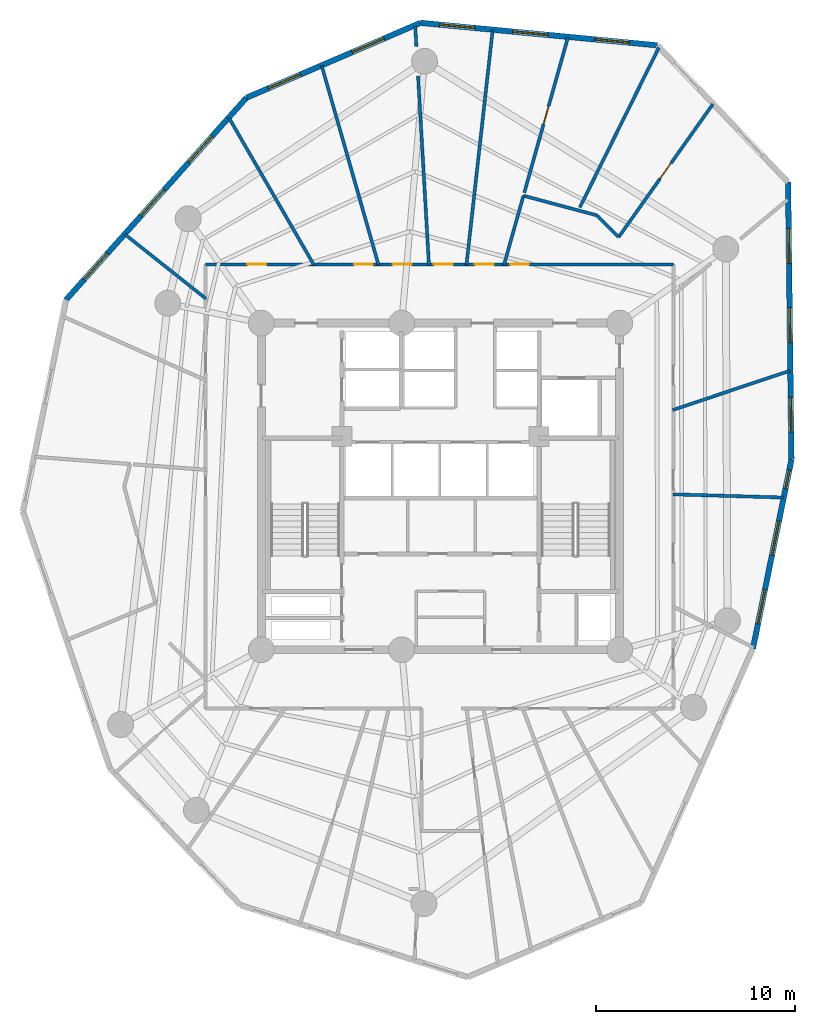
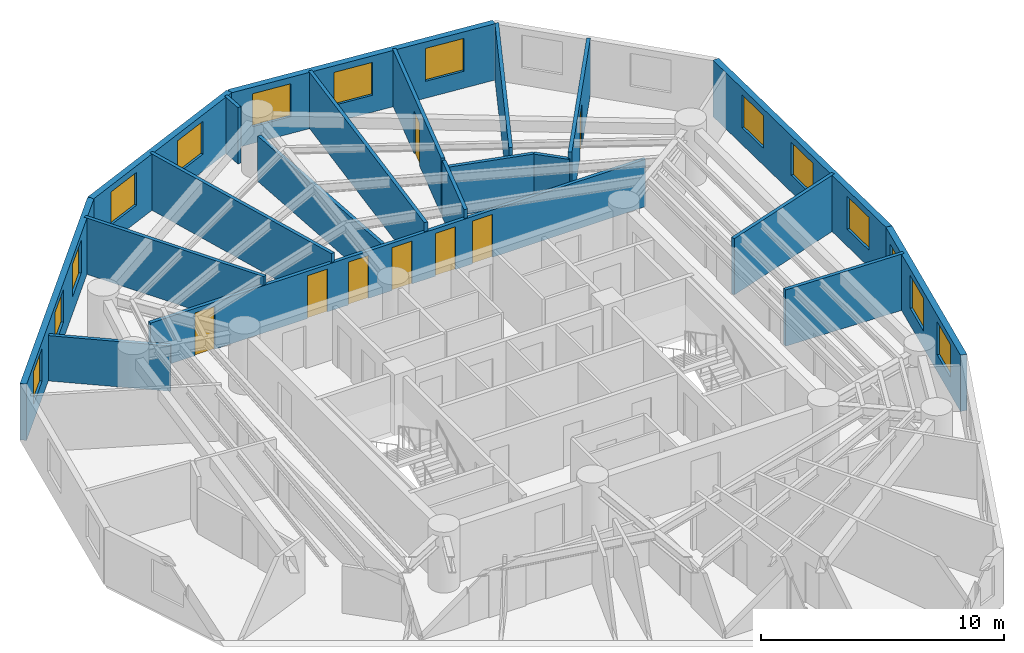
# One storey, part 6 of 8: 20 walls, 14 windows, 8 doors, 22 openings.
"""IFC4 building model written with IfcOpenShell, lengths in metres."""

from ifc_helpers import new_model, si_unit, direction, frame, frame_2d, origin, origin_with_axes, place, context, subcontext, project, spatial, rectangle, extrude, source, transform, mapped, material, layer, layer_set, type_object, element, fill, save


model = new_model("IFC4")

# Units and contexts
model_context = context("Model", 3, precision=1e-05, world=origin(), true_north=direction((0.0, 1.0)))
body_context = subcontext(model_context, "Body", "Model", "MODEL_VIEW")
ifc_project = project(units=[si_unit("LENGTHUNIT", "METRE"), si_unit("AREAUNIT", "SQUARE_METRE"), si_unit("VOLUMEUNIT", "CUBIC_METRE"), si_unit("PLANEANGLEUNIT", "RADIAN"), si_unit("MASSUNIT", "GRAM", prefix="KILO")], contexts=[model_context])

# Site, building, storey
site_placement = place(None, origin())
site = spatial("IfcSite", under=ifc_project, at=site_placement, CompositionType="ELEMENT")
building_placement = place(site_placement, origin())
building = spatial("IfcBuilding", under=site, at=building_placement, Name="Karkom Vertical University and Central Library", CompositionType="ELEMENT")
storey_placement = place(building_placement, frame((0.0, 0.0, 159.60009765625)))
storey = spatial("IfcBuildingStorey", under=building, at=storey_placement, Name="L45", CompositionType="ELEMENT", Elevation=159.60009765625)

# Wall, openings, windows
ifc_material_1 = material(Name="Brick-faced precast concrete C45/55", Category="masonry")
ifc_layer_1 = layer(ifc_material_1, 0.280029296875)
ifc_layer_set_1 = layer_set([ifc_layer_1], Name="Brick-faced precast concrete C45/55")
wall_type_1 = type_object("IfcWallType", Name="ENV-WL-BRK-280", PredefinedType="SOLIDWALL", material=ifc_layer_set_1)
wall_1_placement = place(storey_placement, frame((44.19287109375, 18.363037109375, 0.0), z_axis=(0.0, 0.0, 1.0), x_axis=(0.199714372294, 0.97985415726, 0.0)))
wall_1 = element("IfcWall", 1, at=wall_1_placement, inside=storey, type_object=wall_type_1, Name="Level 45 Brick-Faced Precast Facade Wall 07", PredefinedType="SOLIDWALL", context=body_context, shape_type="SweptSolid", body=[
    extrude(rectangle(XDim=9.67822265625, YDim=0.280029296875, at=frame_2d((4.839111328125, 0.0))), origin(), (0.0, 0.0, 1.0), 2.824951171875),
])
opening_1_placement = place(wall_1_placement, frame((1.270263671875, 0.0, 0.85009765625)))
opening_1 = element("IfcOpeningElement", 2, at=opening_1_placement, cuts=wall_1, Name="Opening WN-08", PredefinedType="OPENING", context=body_context, shape_type="SweptSolid", body=[
    extrude(rectangle(XDim=1.75, YDim=1.64990234375, at=frame_2d((0.875, 0.824951171875))), frame((0.0, 0.14990234375, 0.0), z_axis=(0.0, -1.0, 0.0), x_axis=(1.0, 0.0, 0.0)), (0.0, 0.0, 1.0), 0.300048828125),
])
opening_2_placement = place(wall_1_placement, frame((4.777587890625, 0.0, 0.85009765625)))
opening_2 = element("IfcOpeningElement", 3, at=opening_2_placement, cuts=wall_1, Name="Opening WN-08", PredefinedType="OPENING", context=body_context, shape_type="SweptSolid", body=[
    extrude(rectangle(XDim=1.75, YDim=1.64990234375, at=frame_2d((0.875, 0.824951171875))), frame((0.0, 0.14990234375, 0.0), z_axis=(0.0, -1.0, 0.0), x_axis=(1.0, 0.0, 0.0)), (0.0, 0.0, 1.0), 0.300048828125),
])
opening_3_placement = place(wall_1_placement, frame((8.197021484375, 0.0, 0.85009765625)))
opening_3 = element("IfcOpeningElement", 4, at=opening_3_placement, cuts=wall_1, Name="Opening WN-12", PredefinedType="OPENING", context=body_context, shape_type="SweptSolid", body=[
    extrude(rectangle(XDim=0.949951171875, YDim=1.5, at=frame_2d((0.47509765625, 0.75))), frame((0.0, 0.14990234375, 0.0), z_axis=(0.0, -1.0, 0.0), x_axis=(1.0, 0.0, 0.0)), (0.0, 0.0, 1.0), 0.300048828125),
])
ifc_material_2 = material(Name="Aluminium thermal-break frame with solar-control IGU", Category="aluminium")
window_type_1 = type_object("IfcWindowType", Name="ENV-WIN-WN-12", PartitioningType="SINGLE_PANEL", PredefinedType="WINDOW", material=ifc_material_2)
shared_shape_1 = source(origin_with_axes(), body_context, "Body", "SweptSolid", [
    extrude(rectangle(XDim=0.949951171875, YDim=1.5, at=frame_2d((0.47509765625, 0.75))), frame((0.0, 0.030029296875, 0.0), z_axis=(0.0, -1.0, 0.0), x_axis=(1.0, 0.0, 0.0)), (0.0, 0.0, 1.0), 0.06005859375),
])
window_1_placement = place(opening_3_placement, origin())
window_1 = element("IfcWindow", 5, at=window_1_placement, inside=storey, type_object=window_type_1, Name="Level 45 Punched Window 7.3", OverallHeight=1.5, OverallWidth=0.949951171875, PartitioningType="SINGLE_PANEL", PredefinedType="WINDOW", context=body_context, shape_type="MappedRepresentation", body=[
    mapped(shared_shape_1, transform((0.0, 0.0, 0.0), scale=1.0)),
])
fill(opening_3, window_1)
window_type_2 = type_object("IfcWindowType", Name="ENV-WIN-WN-08", PartitioningType="SINGLE_PANEL", PredefinedType="WINDOW", material=ifc_material_2)
shared_shape_2 = source(origin_with_axes(), body_context, "Body", "SweptSolid", [
    extrude(rectangle(XDim=1.75, YDim=1.64990234375, at=frame_2d((0.875, 0.824951171875))), frame((0.0, 0.030029296875, 0.0), z_axis=(0.0, -1.0, 0.0), x_axis=(1.0, 0.0, 0.0)), (0.0, 0.0, 1.0), 0.06005859375),
])
window_2_placement = place(opening_1_placement, origin())
window_2 = element("IfcWindow", 6, at=window_2_placement, inside=storey, type_object=window_type_2, Name="Level 45 Punched Window 7.1", OverallHeight=1.64990234375, OverallWidth=1.75, PartitioningType="SINGLE_PANEL", PredefinedType="WINDOW", context=body_context, shape_type="MappedRepresentation", body=[
    mapped(shared_shape_2, transform((0.0, 0.0, 0.0), scale=1.0)),
])
fill(opening_1, window_2)
window_3_placement = place(opening_2_placement, origin())
window_3 = element("IfcWindow", 7, at=window_3_placement, inside=storey, type_object=window_type_2, Name="Level 45 Punched Window 7.2", OverallHeight=1.64990234375, OverallWidth=1.75, PartitioningType="SINGLE_PANEL", PredefinedType="WINDOW", context=body_context, shape_type="MappedRepresentation", body=[
    mapped(shared_shape_2, transform((0.0, 0.0, 0.0), scale=1.0)),
])
fill(opening_2, window_3)

wall_2_placement = place(storey_placement, frame((46.125732421875, 27.84619140625, 0.0), z_axis=(0.0, 0.0, 1.0), x_axis=(-0.012242907898, 0.999925052795, 0.0)))
wall_2 = element("IfcWall", 8, at=wall_2_placement, inside=storey, type_object=wall_type_1, Name="Level 45 Brick-Faced Precast Facade Wall 08", PredefinedType="SOLIDWALL", context=body_context, shape_type="SweptSolid", body=[
    extrude(rectangle(XDim=13.93896484375, YDim=0.280029296875, at=frame_2d((6.969482421875, 0.0))), origin(), (0.0, 0.0, 1.0), 2.824951171875),
])
opening_4_placement = place(wall_2_placement, frame((1.381103515625, 0.0, 0.85009765625)))
opening_4 = element("IfcOpeningElement", 9, at=opening_4_placement, cuts=wall_2, Name="Opening WN-08", PredefinedType="OPENING", context=body_context, shape_type="SweptSolid", body=[
    extrude(rectangle(XDim=1.75, YDim=1.64990234375, at=frame_2d((0.875, 0.824951171875))), frame((0.0, 0.14990234375, 0.0), z_axis=(0.0, -1.0, 0.0), x_axis=(1.0, 0.0, 0.0)), (0.0, 0.0, 1.0), 0.300048828125),
])
opening_5_placement = place(wall_2_placement, frame((5.881103515625, 0.0, 0.85009765625)))
opening_5 = element("IfcOpeningElement", 10, at=opening_5_placement, cuts=wall_2, Name="Opening WN-08", PredefinedType="OPENING", context=body_context, shape_type="SweptSolid", body=[
    extrude(rectangle(XDim=1.75, YDim=1.64990234375, at=frame_2d((0.875, 0.824951171875))), frame((0.0, 0.14990234375, 0.0), z_axis=(0.0, -1.0, 0.0), x_axis=(1.0, 0.0, 0.0)), (0.0, 0.0, 1.0), 0.300048828125),
])
opening_6_placement = place(wall_2_placement, frame((9.848388671875, 0.0, 0.85009765625)))
opening_6 = element("IfcOpeningElement", 11, at=opening_6_placement, cuts=wall_2, Name="Opening WN-08", PredefinedType="OPENING", context=body_context, shape_type="SweptSolid", body=[
    extrude(rectangle(XDim=1.75, YDim=1.64990234375, at=frame_2d((0.875, 0.824951171875))), frame((0.0, 0.14990234375, 0.0), z_axis=(0.0, -1.0, 0.0), x_axis=(1.0, 0.0, 0.0)), (0.0, 0.0, 1.0), 0.300048828125),
])
window_4_placement = place(opening_4_placement, origin())
window_4 = element("IfcWindow", 12, at=window_4_placement, inside=storey, type_object=window_type_2, Name="Level 45 Punched Window 8.1", OverallHeight=1.64990234375, OverallWidth=1.75, PartitioningType="SINGLE_PANEL", PredefinedType="WINDOW", context=body_context, shape_type="MappedRepresentation", body=[
    mapped(shared_shape_2, transform((0.0, 0.0, 0.0), scale=1.0)),
])
fill(opening_4, window_4)
window_5_placement = place(opening_5_placement, origin())
window_5 = element("IfcWindow", 13, at=window_5_placement, inside=storey, type_object=window_type_2, Name="Level 45 Punched Window 8.2", OverallHeight=1.64990234375, OverallWidth=1.75, PartitioningType="SINGLE_PANEL", PredefinedType="WINDOW", context=body_context, shape_type="MappedRepresentation", body=[
    mapped(shared_shape_2, transform((0.0, 0.0, 0.0), scale=1.0)),
])
fill(opening_5, window_5)
window_6_placement = place(opening_6_placement, origin())
window_6 = element("IfcWindow", 14, at=window_6_placement, inside=storey, type_object=window_type_2, Name="Level 45 Punched Window 8.3", OverallHeight=1.64990234375, OverallWidth=1.75, PartitioningType="SINGLE_PANEL", PredefinedType="WINDOW", context=body_context, shape_type="MappedRepresentation", body=[
    mapped(shared_shape_2, transform((0.0, 0.0, 0.0), scale=1.0)),
])
fill(opening_6, window_6)

wall_3_placement = place(storey_placement, frame((39.397705078125, 48.652099609375, 0.0), z_axis=(0.0, 0.0, 1.0), x_axis=(-0.995507486559, 0.094682861205, 0.0)))
wall_3 = element("IfcWall", 15, at=wall_3_placement, inside=storey, type_object=wall_type_1, Name="Level 45 Brick-Faced Precast Facade Wall 10", PredefinedType="SOLIDWALL", context=body_context, shape_type="SweptSolid", body=[
    extrude(rectangle(XDim=11.95654296875, YDim=0.280029296875, at=frame_2d((5.978271484375, 0.0))), origin(), (0.0, 0.0, 1.0), 2.824951171875),
])
opening_7_placement = place(wall_3_placement, frame((1.41552734375, 0.0, 0.85009765625)))
opening_7 = element("IfcOpeningElement", 16, at=opening_7_placement, cuts=wall_3, Name="Opening WN-08", PredefinedType="OPENING", context=body_context, shape_type="SweptSolid", body=[
    extrude(rectangle(XDim=1.75, YDim=1.64990234375, at=frame_2d((0.875, 0.824951171875))), frame((0.0, 0.14990234375, 0.0), z_axis=(0.0, -1.0, 0.0), x_axis=(1.0, 0.0, 0.0)), (0.0, 0.0, 1.0), 0.300048828125),
])
opening_8_placement = place(wall_3_placement, frame((5.54248046875, 0.0, 0.85009765625)))
opening_8 = element("IfcOpeningElement", 17, at=opening_8_placement, cuts=wall_3, Name="Opening WN-08", PredefinedType="OPENING", context=body_context, shape_type="SweptSolid", body=[
    extrude(rectangle(XDim=1.75, YDim=1.64990234375, at=frame_2d((0.875, 0.824951171875))), frame((0.0, 0.14990234375, 0.0), z_axis=(0.0, -1.0, 0.0), x_axis=(1.0, 0.0, 0.0)), (0.0, 0.0, 1.0), 0.300048828125),
])
opening_9_placement = place(wall_3_placement, frame((9.230224609375, 0.0, 0.85009765625)))
opening_9 = element("IfcOpeningElement", 18, at=opening_9_placement, cuts=wall_3, Name="Opening WN-08", PredefinedType="OPENING", context=body_context, shape_type="SweptSolid", body=[
    extrude(rectangle(XDim=1.75, YDim=1.64990234375, at=frame_2d((0.875, 0.824951171875))), frame((0.0, 0.14990234375, 0.0), z_axis=(0.0, -1.0, 0.0), x_axis=(1.0, 0.0, 0.0)), (0.0, 0.0, 1.0), 0.300048828125),
])
window_7_placement = place(opening_7_placement, origin())
window_7 = element("IfcWindow", 19, at=window_7_placement, inside=storey, type_object=window_type_2, Name="Level 45 Punched Window 10.1", OverallHeight=1.64990234375, OverallWidth=1.75, PartitioningType="SINGLE_PANEL", PredefinedType="WINDOW", context=body_context, shape_type="MappedRepresentation", body=[
    mapped(shared_shape_2, transform((0.0, 0.0, 0.0), scale=1.0)),
])
fill(opening_7, window_7)
window_8_placement = place(opening_8_placement, origin())
window_8 = element("IfcWindow", 20, at=window_8_placement, inside=storey, type_object=window_type_2, Name="Level 45 Punched Window 10.2", OverallHeight=1.64990234375, OverallWidth=1.75, PartitioningType="SINGLE_PANEL", PredefinedType="WINDOW", context=body_context, shape_type="MappedRepresentation", body=[
    mapped(shared_shape_2, transform((0.0, 0.0, 0.0), scale=1.0)),
])
fill(opening_8, window_8)
window_9_placement = place(opening_9_placement, origin())
window_9 = element("IfcWindow", 21, at=window_9_placement, inside=storey, type_object=window_type_2, Name="Level 45 Punched Window 10.3", OverallHeight=1.64990234375, OverallWidth=1.75, PartitioningType="SINGLE_PANEL", PredefinedType="WINDOW", context=body_context, shape_type="MappedRepresentation", body=[
    mapped(shared_shape_2, transform((0.0, 0.0, 0.0), scale=1.0)),
])
fill(opening_9, window_9)

wall_4_placement = place(storey_placement, frame((27.494873046875, 49.7841796875, 0.0), z_axis=(0.0, 0.0, 1.0), x_axis=(-0.918550810582, -0.39530293242, 0.0)))
wall_4 = element("IfcWall", 22, at=wall_4_placement, inside=storey, type_object=wall_type_1, Name="Level 45 Brick-Faced Precast Facade Wall 11", PredefinedType="SOLIDWALL", context=body_context, shape_type="SweptSolid", body=[
    extrude(rectangle(XDim=9.51611328125, YDim=0.280029296875, at=frame_2d((4.758056640625, 0.0))), origin(), (0.0, 0.0, 1.0), 2.824951171875),
])
opening_10_placement = place(wall_4_placement, frame((1.988525390625, 0.0, 0.85009765625)))
opening_10 = element("IfcOpeningElement", 23, at=opening_10_placement, cuts=wall_4, Name="Opening WN-08", PredefinedType="OPENING", context=body_context, shape_type="SweptSolid", body=[
    extrude(rectangle(XDim=1.75, YDim=1.64990234375, at=frame_2d((0.875, 0.824951171875))), frame((0.0, 0.14990234375, 0.0), z_axis=(0.0, -1.0, 0.0), x_axis=(1.0, 0.0, 0.0)), (0.0, 0.0, 1.0), 0.300048828125),
])
opening_11_placement = place(wall_4_placement, frame((6.5595703125, 0.0, 0.85009765625)))
opening_11 = element("IfcOpeningElement", 24, at=opening_11_placement, cuts=wall_4, Name="Opening WN-08", PredefinedType="OPENING", context=body_context, shape_type="SweptSolid", body=[
    extrude(rectangle(XDim=1.75, YDim=1.64990234375, at=frame_2d((0.875, 0.824951171875))), frame((0.0, 0.14990234375, 0.0), z_axis=(0.0, -1.0, 0.0), x_axis=(1.0, 0.0, 0.0)), (0.0, 0.0, 1.0), 0.300048828125),
])
window_10_placement = place(opening_10_placement, origin())
window_10 = element("IfcWindow", 25, at=window_10_placement, inside=storey, type_object=window_type_2, Name="Level 45 Punched Window 11.1", OverallHeight=1.64990234375, OverallWidth=1.75, PartitioningType="SINGLE_PANEL", PredefinedType="WINDOW", context=body_context, shape_type="MappedRepresentation", body=[
    mapped(shared_shape_2, transform((0.0, 0.0, 0.0), scale=1.0)),
])
fill(opening_10, window_10)
window_11_placement = place(opening_11_placement, origin())
window_11 = element("IfcWindow", 26, at=window_11_placement, inside=storey, type_object=window_type_2, Name="Level 45 Punched Window 11.2", OverallHeight=1.64990234375, OverallWidth=1.75, PartitioningType="SINGLE_PANEL", PredefinedType="WINDOW", context=body_context, shape_type="MappedRepresentation", body=[
    mapped(shared_shape_2, transform((0.0, 0.0, 0.0), scale=1.0)),
])
fill(opening_11, window_11)

wall_5_placement = place(storey_placement, frame((18.75390625, 46.0224609375, 0.0), z_axis=(0.0, 0.0, 1.0), x_axis=(-0.665979422702, -0.745970112362, 0.0)))
wall_5 = element("IfcWall", 27, at=wall_5_placement, inside=storey, type_object=wall_type_1, Name="Level 45 Brick-Faced Precast Facade Wall 12", PredefinedType="SOLIDWALL", context=body_context, shape_type="SweptSolid", body=[
    extrude(rectangle(XDim=13.615478515625, YDim=0.280029296875, at=frame_2d((6.8076171875, 0.0))), origin(), (0.0, 0.0, 1.0), 2.824951171875),
])
opening_12_placement = place(wall_5_placement, frame((2.59423828125, 0.0, 0.85009765625)))
opening_12 = element("IfcOpeningElement", 28, at=opening_12_placement, cuts=wall_5, Name="Opening WN-08", PredefinedType="OPENING", context=body_context, shape_type="SweptSolid", body=[
    extrude(rectangle(XDim=1.75, YDim=1.64990234375, at=frame_2d((0.875, 0.824951171875))), frame((0.0, 0.14990234375, 0.0), z_axis=(0.0, -1.0, 0.0), x_axis=(1.0, 0.0, 0.0)), (0.0, 0.0, 1.0), 0.300048828125),
])
opening_13_placement = place(wall_5_placement, frame((6.18798828125, 0.0, 0.85009765625)))
opening_13 = element("IfcOpeningElement", 29, at=opening_13_placement, cuts=wall_5, Name="Opening WN-08", PredefinedType="OPENING", context=body_context, shape_type="SweptSolid", body=[
    extrude(rectangle(XDim=1.75, YDim=1.64990234375, at=frame_2d((0.875, 0.824951171875))), frame((0.0, 0.14990234375, 0.0), z_axis=(0.0, -1.0, 0.0), x_axis=(1.0, 0.0, 0.0)), (0.0, 0.0, 1.0), 0.300048828125),
])
opening_14_placement = place(wall_5_placement, frame((10.49267578125, 0.0, 0.85009765625)))
opening_14 = element("IfcOpeningElement", 30, at=opening_14_placement, cuts=wall_5, Name="Opening WN-08", PredefinedType="OPENING", context=body_context, shape_type="SweptSolid", body=[
    extrude(rectangle(XDim=1.75, YDim=1.64990234375, at=frame_2d((0.875, 0.824951171875))), frame((0.0, 0.14990234375, 0.0), z_axis=(0.0, -1.0, 0.0), x_axis=(1.0, 0.0, 0.0)), (0.0, 0.0, 1.0), 0.300048828125),
])
window_12_placement = place(opening_12_placement, origin())
window_12 = element("IfcWindow", 31, at=window_12_placement, inside=storey, type_object=window_type_2, Name="Level 45 Punched Window 12.1", OverallHeight=1.64990234375, OverallWidth=1.75, PartitioningType="SINGLE_PANEL", PredefinedType="WINDOW", context=body_context, shape_type="MappedRepresentation", body=[
    mapped(shared_shape_2, transform((0.0, 0.0, 0.0), scale=1.0)),
])
fill(opening_12, window_12)
window_13_placement = place(opening_13_placement, origin())
window_13 = element("IfcWindow", 32, at=window_13_placement, inside=storey, type_object=window_type_2, Name="Level 45 Punched Window 12.2", OverallHeight=1.64990234375, OverallWidth=1.75, PartitioningType="SINGLE_PANEL", PredefinedType="WINDOW", context=body_context, shape_type="MappedRepresentation", body=[
    mapped(shared_shape_2, transform((0.0, 0.0, 0.0), scale=1.0)),
])
fill(opening_13, window_13)
window_14_placement = place(opening_14_placement, origin())
window_14 = element("IfcWindow", 33, at=window_14_placement, inside=storey, type_object=window_type_2, Name="Level 45 Punched Window 12.3", OverallHeight=1.64990234375, OverallWidth=1.75, PartitioningType="SINGLE_PANEL", PredefinedType="WINDOW", context=body_context, shape_type="MappedRepresentation", body=[
    mapped(shared_shape_2, transform((0.0, 0.0, 0.0), scale=1.0)),
])
fill(opening_14, window_14)

# Wall, openings, doors
ifc_material_3 = material(Name="Insulated metal-stud drywall 160mm", Category="gypsum")
ifc_layer_2 = layer(ifc_material_3, 0.159912109375)
ifc_layer_set_2 = layer_set([ifc_layer_2], Name="Insulated metal-stud drywall 160mm")
wall_type_2 = type_object("IfcWallType", Name="INT-WL-COR-160", PredefinedType="PARTITIONING", material=ifc_layer_set_2)
wall_6_placement = place(storey_placement, frame((16.699951171875, 37.64990234375, 0.0), z_axis=(0.0, 0.0, 1.0), x_axis=(1.0, 0.0, 0.0)))
wall_6 = element("IfcWall", 34, at=wall_6_placement, inside=storey, type_object=wall_type_2, Name="Level 45 Interior Partition Wall L45-CORW-CW-003", PredefinedType="PARTITIONING", context=body_context, shape_type="SweptSolid", body=[
    extrude(rectangle(XDim=23.5, YDim=0.159912109375, at=frame_2d((11.75, 0.0))), origin(), (0.0, 0.0, 1.0), 2.375),
])
opening_15_placement = place(wall_6_placement, frame((15.2900390625, 0.0, 0.0)))
opening_15 = element("IfcOpeningElement", 35, at=opening_15_placement, cuts=wall_6, Name="Opening D-RM1", PredefinedType="OPENING", context=body_context, shape_type="SweptSolid", body=[
    extrude(rectangle(XDim=0.949951171875, YDim=2.14990234375, at=frame_2d((0.47509765625, 1.074951171875))), frame((0.0, 0.08984375, 0.0), z_axis=(0.0, -1.0, 0.0), x_axis=(1.0, 0.0, 0.0)), (0.0, 0.0, 1.0), 0.179931640625),
])
opening_16_placement = place(wall_6_placement, frame((13.529052734375, 0.0, 0.0)))
opening_16 = element("IfcOpeningElement", 36, at=opening_16_placement, cuts=wall_6, Name="Opening D-RM1", PredefinedType="OPENING", context=body_context, shape_type="SweptSolid", body=[
    extrude(rectangle(XDim=0.949951171875, YDim=2.14990234375, at=frame_2d((0.47509765625, 1.074951171875))), frame((0.0, 0.08984375, 0.0), z_axis=(0.0, -1.0, 0.0), x_axis=(1.0, 0.0, 0.0)), (0.0, 0.0, 1.0), 0.179931640625),
])
opening_17_placement = place(wall_6_placement, frame((11.465087890625, 0.0, 0.0)))
opening_17 = element("IfcOpeningElement", 37, at=opening_17_placement, cuts=wall_6, Name="Opening D-RM1", PredefinedType="OPENING", context=body_context, shape_type="SweptSolid", body=[
    extrude(rectangle(XDim=0.949951171875, YDim=2.14990234375, at=frame_2d((0.47509765625, 1.074951171875))), frame((0.0, 0.08984375, 0.0), z_axis=(0.0, -1.0, 0.0), x_axis=(1.0, 0.0, 0.0)), (0.0, 0.0, 1.0), 0.179931640625),
])
opening_18_placement = place(wall_6_placement, frame((9.401123046875, 0.0, 0.0)))
opening_18 = element("IfcOpeningElement", 38, at=opening_18_placement, cuts=wall_6, Name="Opening D-RM1", PredefinedType="OPENING", context=body_context, shape_type="SweptSolid", body=[
    extrude(rectangle(XDim=0.949951171875, YDim=2.14990234375, at=frame_2d((0.47509765625, 1.074951171875))), frame((0.0, 0.08984375, 0.0), z_axis=(0.0, -1.0, 0.0), x_axis=(1.0, 0.0, 0.0)), (0.0, 0.0, 1.0), 0.179931640625),
])
opening_19_placement = place(wall_6_placement, frame((7.4599609375, 0.0, 0.0)))
opening_19 = element("IfcOpeningElement", 39, at=opening_19_placement, cuts=wall_6, Name="Opening D-RM1", PredefinedType="OPENING", context=body_context, shape_type="SweptSolid", body=[
    extrude(rectangle(XDim=0.949951171875, YDim=2.14990234375, at=frame_2d((0.47509765625, 1.074951171875))), frame((0.0, 0.08984375, 0.0), z_axis=(0.0, -1.0, 0.0), x_axis=(1.0, 0.0, 0.0)), (0.0, 0.0, 1.0), 0.179931640625),
])
opening_20_placement = place(wall_6_placement, frame((2.107177734375, 0.0, 0.0)))
opening_20 = element("IfcOpeningElement", 40, at=opening_20_placement, cuts=wall_6, Name="Opening D-RM1", PredefinedType="OPENING", context=body_context, shape_type="SweptSolid", body=[
    extrude(rectangle(XDim=0.949951171875, YDim=2.14990234375, at=frame_2d((0.47509765625, 1.074951171875))), frame((0.0, 0.08984375, 0.0), z_axis=(0.0, -1.0, 0.0), x_axis=(1.0, 0.0, 0.0)), (0.0, 0.0, 1.0), 0.179931640625),
])
ifc_material_4 = material(Name="Solid-core oak veneer door", Category="wood")
door_type = type_object("IfcDoorType", Name="INT-DR-RM1", OperationType="NOTDEFINED", PredefinedType="DOOR", material=ifc_material_4)
shared_shape_3 = source(origin_with_axes(), body_context, "Body", "SweptSolid", [
    extrude(rectangle(XDim=0.949951171875, YDim=2.14990234375, at=frame_2d((0.47509765625, 1.074951171875))), frame((0.0, 0.02490234375, 0.0), z_axis=(0.0, -1.0, 0.0), x_axis=(1.0, 0.0, 0.0)), (0.0, 0.0, 1.0), 0.050048828125),
])
door_1_placement = place(opening_15_placement, origin())
door_1 = element("IfcDoor", 41, at=door_1_placement, inside=storey, type_object=door_type, Name="Level 45 Room Entry Door 160", OperationType="SINGLE_SWING_LEFT", OverallHeight=2.14990234375, OverallWidth=0.949951171875, PredefinedType="DOOR", context=body_context, shape_type="MappedRepresentation", body=[
    mapped(shared_shape_3, transform((0.0, 0.0, 0.0), scale=1.0)),
])
fill(opening_15, door_1)
door_2_placement = place(opening_16_placement, origin())
door_2 = element("IfcDoor", 42, at=door_2_placement, inside=storey, type_object=door_type, Name="Level 45 Room Entry Door 190", OperationType="SINGLE_SWING_RIGHT", OverallHeight=2.14990234375, OverallWidth=0.949951171875, PredefinedType="DOOR", context=body_context, shape_type="MappedRepresentation", body=[
    mapped(shared_shape_3, transform((0.0, 0.0, 0.0), scale=1.0)),
])
fill(opening_16, door_2)
door_3_placement = place(opening_17_placement, origin())
door_3 = element("IfcDoor", 43, at=door_3_placement, inside=storey, type_object=door_type, Name="Level 45 Room Entry Door 200", OperationType="SINGLE_SWING_LEFT", OverallHeight=2.14990234375, OverallWidth=0.949951171875, PredefinedType="DOOR", context=body_context, shape_type="MappedRepresentation", body=[
    mapped(shared_shape_3, transform((0.0, 0.0, 0.0), scale=1.0)),
])
fill(opening_17, door_3)
door_4_placement = place(opening_18_placement, origin())
door_4 = element("IfcDoor", 44, at=door_4_placement, inside=storey, type_object=door_type, Name="Level 45 Room Entry Door 210", OperationType="SINGLE_SWING_RIGHT", OverallHeight=2.14990234375, OverallWidth=0.949951171875, PredefinedType="DOOR", context=body_context, shape_type="MappedRepresentation", body=[
    mapped(shared_shape_3, transform((0.0, 0.0, 0.0), scale=1.0)),
])
fill(opening_18, door_4)
door_5_placement = place(opening_19_placement, origin())
door_5 = element("IfcDoor", 45, at=door_5_placement, inside=storey, type_object=door_type, Name="Level 45 Room Entry Door 220", OperationType="SINGLE_SWING_LEFT", OverallHeight=2.14990234375, OverallWidth=0.949951171875, PredefinedType="DOOR", context=body_context, shape_type="MappedRepresentation", body=[
    mapped(shared_shape_3, transform((0.0, 0.0, 0.0), scale=1.0)),
])
fill(opening_19, door_5)
door_6_placement = place(opening_20_placement, origin())
door_6 = element("IfcDoor", 46, at=door_6_placement, inside=storey, type_object=door_type, Name="Level 45 Room Entry Door 230", OperationType="SINGLE_SWING_RIGHT", OverallHeight=2.14990234375, OverallWidth=0.949951171875, PredefinedType="DOOR", context=body_context, shape_type="MappedRepresentation", body=[
    mapped(shared_shape_3, transform((0.0, 0.0, 0.0), scale=1.0)),
])
fill(opening_20, door_6)

# Walls
wall_7_placement = place(storey_placement, frame((29.80224609375, 37.6201171875, 0.0), z_axis=(0.0, 0.0, 1.0), x_axis=(0.110986957923, 0.993821862896, 0.0)))
element("IfcWall", 47, at=wall_7_placement, inside=storey, type_object=wall_type_2, Name="Level 45 Interior Partition Wall L45-PW-032", PredefinedType="PARTITIONING", context=body_context, shape_type="SweptSolid", body=[
    extrude(rectangle(XDim=11.867431640625, YDim=0.159912109375, at=frame_2d((5.93359375, 0.0))), origin(), (0.0, 0.0, 1.0), 2.824951171875),
])
wall_8_placement = place(storey_placement, frame((25.389892578125, 37.62109375, 0.0), z_axis=(0.0, 0.0, 1.0), x_axis=(-0.274311866089, 0.961640785389, 0.0)))
element("IfcWall", 48, at=wall_8_placement, inside=storey, type_object=wall_type_2, Name="Level 45 Interior Partition Wall L45-PW-035", PredefinedType="PARTITIONING", context=body_context, shape_type="SweptSolid", body=[
    extrude(rectangle(XDim=10.400634765625, YDim=0.159912109375, at=frame_2d((5.2001953125, 0.0))), origin(), (0.0, 0.0, 1.0), 2.824951171875),
])
wall_9_placement = place(storey_placement, frame((27.921142578125, 37.60498046875, 0.0), z_axis=(0.0, 0.0, 1.0), x_axis=(-0.05743974786, 0.998348974741, 0.0)))
element("IfcWall", 49, at=wall_9_placement, inside=storey, type_object=wall_type_2, Name="Level 45 Interior Partition Wall L45-PW-034", PredefinedType="PARTITIONING", context=body_context, shape_type="SweptSolid", body=[
    extrude(rectangle(XDim=9.520751953125, YDim=0.159912109375, at=frame_2d((4.76025390625, 0.0))), origin(), (0.0, 0.0, 1.0), 2.27490234375),
])
wall_10_placement = place(storey_placement, frame((35.49365234375, 40.5087890625, 0.0), z_axis=(0.0, 0.0, 1.0), x_axis=(0.443230587287, 0.896407634111, 0.0)))
element("IfcWall", 50, at=wall_10_placement, inside=storey, type_object=wall_type_2, Name="Level 45 Interior Partition Wall L45-PW-030", PredefinedType="PARTITIONING", context=body_context, shape_type="SweptSolid", body=[
    extrude(rectangle(XDim=8.958984375, YDim=0.159912109375, at=frame_2d((4.4794921875, 0.0))), origin(), (0.0, 0.0, 1.0), 2.824951171875),
])
wall_11_placement = place(storey_placement, frame((22.1513671875, 37.611083984375, 0.0), z_axis=(0.0, 0.0, 1.0), x_axis=(-0.500171339783, 0.865926458113, 0.0)))
element("IfcWall", 51, at=wall_11_placement, inside=storey, type_object=wall_type_2, Name="Level 45 Interior Partition Wall L45-PW-036", PredefinedType="PARTITIONING", context=body_context, shape_type="SweptSolid", body=[
    extrude(rectangle(XDim=8.53662109375, YDim=0.159912109375, at=frame_2d((4.268310546875, 0.0))), origin(), (0.0, 0.0, 1.0), 2.824951171875),
])

# Wall, opening, door
wall_12_placement = place(storey_placement, frame((37.44677734375, 39.023193359375, 0.0), z_axis=(0.0, 0.0, 1.0), x_axis=(0.578141477004, 0.815936537095, 0.0)))
wall_12 = element("IfcWall", 52, at=wall_12_placement, inside=storey, type_object=wall_type_2, Name="Level 45 Interior Partition Wall L45-PW-027", PredefinedType="PARTITIONING", context=body_context, shape_type="SweptSolid", body=[
    extrude(rectangle(XDim=8.184814453125, YDim=0.159912109375, at=frame_2d((4.09228515625, 0.0))), origin(), (0.0, 0.0, 1.0), 2.824951171875),
])
opening_21_placement = place(wall_12_placement, frame((3.599853515625, 0.0, 0.0)))
opening_21 = element("IfcOpeningElement", 53, at=opening_21_placement, cuts=wall_12, Name="Opening D-RM1", PredefinedType="OPENING", context=body_context, shape_type="SweptSolid", body=[
    extrude(rectangle(XDim=0.949951171875, YDim=2.14990234375, at=frame_2d((0.47509765625, 1.074951171875))), frame((0.0, 0.08984375, 0.0), z_axis=(0.0, -1.0, 0.0), x_axis=(1.0, 0.0, 0.0)), (0.0, 0.0, 1.0), 0.179931640625),
])
door_7_placement = place(opening_21_placement, origin())
door_7 = element("IfcDoor", 54, at=door_7_placement, inside=storey, type_object=door_type, Name="Level 45 Room Entry Door 170", OperationType="SINGLE_SWING_LEFT", OverallHeight=2.14990234375, OverallWidth=0.949951171875, PredefinedType="DOOR", context=body_context, shape_type="MappedRepresentation", body=[
    mapped(shared_shape_3, transform((0.0, 0.0, 0.0), scale=1.0)),
])
fill(opening_21, door_7)

wall_13_placement = place(storey_placement, frame((32.708984375, 41.255126953125, 0.0), z_axis=(0.0, 0.0, 1.0), x_axis=(0.270550941114, 0.962705660242, 0.0)))
wall_13 = element("IfcWall", 55, at=wall_13_placement, inside=storey, type_object=wall_type_2, Name="Level 45 Interior Partition Wall L45-PW-031", PredefinedType="PARTITIONING", context=body_context, shape_type="SweptSolid", body=[
    extrude(rectangle(XDim=8.1005859375, YDim=0.159912109375, at=frame_2d((4.05029296875, 0.0))), origin(), (0.0, 0.0, 1.0), 2.824951171875),
])
opening_22_placement = place(wall_13_placement, frame((3.557861328125, 0.0, 0.0)))
opening_22 = element("IfcOpeningElement", 56, at=opening_22_placement, cuts=wall_13, Name="Opening D-RM1", PredefinedType="OPENING", context=body_context, shape_type="SweptSolid", body=[
    extrude(rectangle(XDim=0.949951171875, YDim=2.14990234375, at=frame_2d((0.47509765625, 1.074951171875))), frame((0.0, 0.08984375, 0.0), z_axis=(0.0, -1.0, 0.0), x_axis=(1.0, 0.0, 0.0)), (0.0, 0.0, 1.0), 0.179931640625),
])
door_8_placement = place(opening_22_placement, origin())
door_8 = element("IfcDoor", 57, at=door_8_placement, inside=storey, type_object=door_type, Name="Level 45 Room Entry Door 180", OperationType="SINGLE_SWING_RIGHT", OverallHeight=2.14990234375, OverallWidth=0.949951171875, PredefinedType="DOOR", context=body_context, shape_type="MappedRepresentation", body=[
    mapped(shared_shape_3, transform((0.0, 0.0, 0.0), scale=1.0)),
])
fill(opening_22, door_8)

# Walls
wall_14_placement = place(storey_placement, frame((40.157470703125, 30.338623046875, 0.0), z_axis=(0.0, 0.0, 1.0), x_axis=(0.948289197327, 0.317407621572, 0.0)))
element("IfcWall", 58, at=wall_14_placement, inside=storey, type_object=wall_type_2, Name="Level 45 Interior Partition Wall L45-PW-023", PredefinedType="PARTITIONING", context=body_context, shape_type="SweptSolid", body=[
    extrude(rectangle(XDim=6.20654296875, YDim=0.159912109375, at=frame_2d((3.103271484375, 0.0))), origin(), (0.0, 0.0, 1.0), 2.824951171875),
])
wall_15_placement = place(storey_placement, frame((40.169921875, 26.10400390625, 0.0), z_axis=(0.0, 0.0, 1.0), x_axis=(0.999586463872, -0.028755890608, 0.0)))
element("IfcWall", 59, at=wall_15_placement, inside=storey, type_object=wall_type_2, Name="Level 45 Interior Partition Wall L45-PW-022", PredefinedType="PARTITIONING", context=body_context, shape_type="SweptSolid", body=[
    extrude(rectangle(XDim=5.5439453125, YDim=0.159912109375, at=frame_2d((2.77197265625, 0.0))), origin(), (0.0, 0.0, 1.0), 2.824951171875),
])
wall_16_placement = place(storey_placement, frame((16.723388671875, 35.927734375, 0.0), z_axis=(0.0, 0.0, 1.0), x_axis=(-0.783120951085, 0.621869420354, 0.0)))
element("IfcWall", 60, at=wall_16_placement, inside=storey, type_object=wall_type_2, Name="Level 45 Interior Partition Wall L45-PW-037", PredefinedType="PARTITIONING", context=body_context, shape_type="SweptSolid", body=[
    extrude(rectangle(XDim=5.191650390625, YDim=0.159912109375, at=frame_2d((2.595703125, 0.0))), origin(), (0.0, 0.0, 1.0), 2.27490234375),
])
wall_17_placement = place(storey_placement, frame((32.66552734375, 41.10107421875, 0.0), z_axis=(0.0, 0.0, 1.0), x_axis=(0.965930095386, -0.258803112091, 0.0)))
element("IfcWall", 61, at=wall_17_placement, inside=storey, type_object=wall_type_2, Name="Level 45 Interior Partition Wall L45-PW-028", PredefinedType="PARTITIONING", context=body_context, shape_type="SweptSolid", body=[
    extrude(rectangle(XDim=3.823486328125, YDim=0.159912109375, at=frame_2d((1.91162109375, 0.0))), origin(), (0.0, 0.0, 1.0), 2.494873046875),
])
wall_18_placement = place(storey_placement, frame((31.68359375, 37.606689453125, 0.0), z_axis=(0.0, 0.0, 1.0), x_axis=(0.270525463666, 0.962712819853, 0.0)))
element("IfcWall", 62, at=wall_18_placement, inside=storey, type_object=wall_type_2, Name="Level 45 Interior Partition Wall L45-PW-029", PredefinedType="PARTITIONING", context=body_context, shape_type="SweptSolid", body=[
    extrude(rectangle(XDim=3.629638671875, YDim=0.159912109375, at=frame_2d((1.81494140625, 0.0))), origin(), (0.0, 0.0, 1.0), 2.824951171875),
])
wall_19_placement = place(storey_placement, frame((36.358642578125, 40.111572265625, 0.0), z_axis=(0.0, 0.0, 1.0), x_axis=(0.707027460218, -0.707186093258, 0.0)))
element("IfcWall", 63, at=wall_19_placement, inside=storey, type_object=wall_type_2, Name="Level 45 Interior Partition Wall L45-PW-026", PredefinedType="PARTITIONING", context=body_context, shape_type="SweptSolid", body=[
    extrude(rectangle(XDim=1.5390625, YDim=0.159912109375, at=frame_2d((0.76953125, 0.0))), origin(), (0.0, 0.0, 1.0), 2.494873046875),
])
wall_20_placement = place(storey_placement, frame((27.2890625, 48.590087890625, 0.0), z_axis=(0.0, 0.0, 1.0), x_axis=(-0.057495094826, 0.998345788828, 0.0)))
element("IfcWall", 64, at=wall_20_placement, inside=storey, type_object=wall_type_2, Name="Level 45 Interior Partition Wall L45-PW-033", PredefinedType="PARTITIONING", context=body_context, shape_type="SweptSolid", body=[
    extrude(rectangle(XDim=1.014892578125, YDim=0.159912109375, at=frame_2d((0.50732421875, 0.0))), origin(), (0.0, 0.0, 1.0), 2.824951171875),
])

save(model, "model.ifc")
